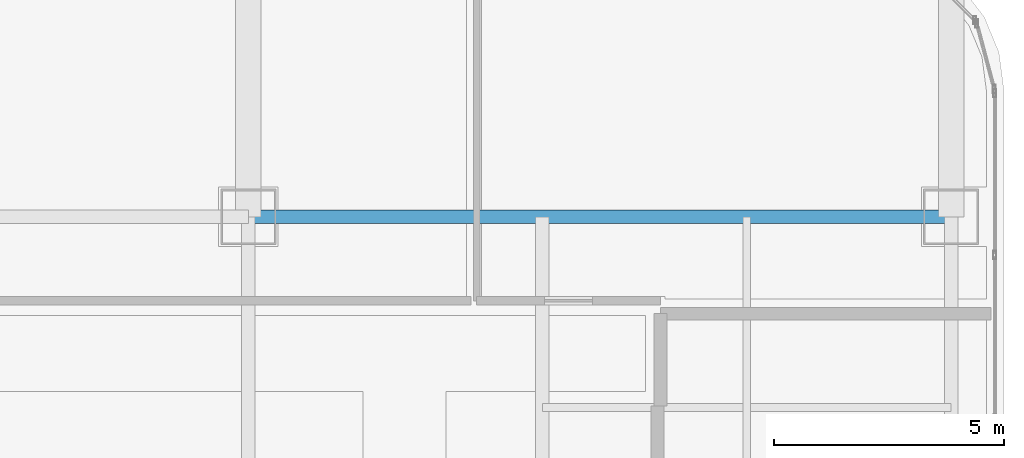
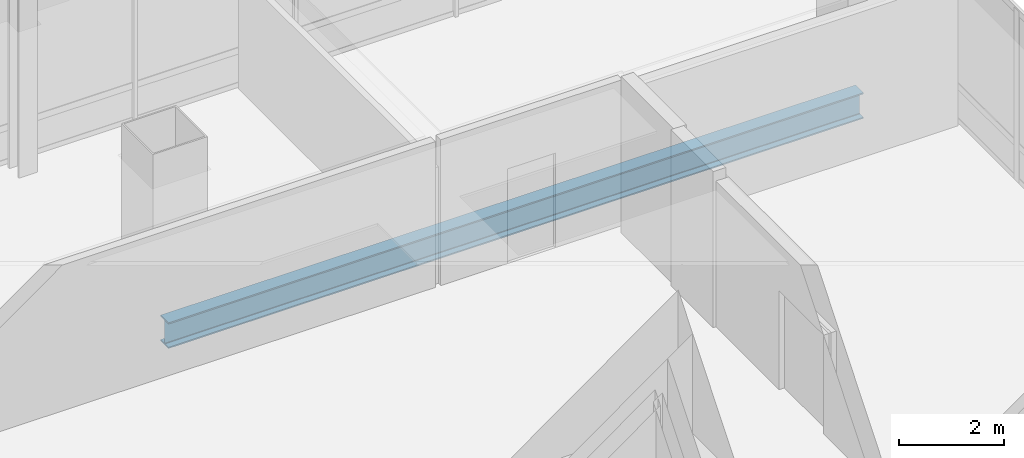
# One storey, part 28 of 41: 1 beam.
"""IFC4 building model written with IfcOpenShell, lengths in metres."""

from ifc_helpers import new_model, si_unit, direction, frame, origin, origin_2d, place, context, subcontext, project, spatial, i_section, extrude, material, material_profile, profile_set, type_object, element, save


model = new_model("IFC4")

# Units and contexts
model_context = context("Model", 3, precision=1e-05, world=origin(), true_north=direction((0.0, 1.0)))
body_context = subcontext(model_context, "Body", "Model", "MODEL_VIEW")
ifc_project = project(units=[si_unit("LENGTHUNIT", "METRE"), si_unit("AREAUNIT", "SQUARE_METRE"), si_unit("VOLUMEUNIT", "CUBIC_METRE"), si_unit("PLANEANGLEUNIT", "RADIAN"), si_unit("MASSUNIT", "GRAM", prefix="KILO")], contexts=[model_context])

# Site, building, storey
site_placement = place(None, origin())
site = spatial("IfcSite", under=ifc_project, at=site_placement, CompositionType="ELEMENT")
building_placement = place(site_placement, origin())
building = spatial("IfcBuilding", under=site, at=building_placement, Name="Punatoya Terracotta Tower", CompositionType="ELEMENT")
storey_placement = place(building_placement, frame((0.0, 0.0, 292.199951171875)))
storey = spatial("IfcBuildingStorey", under=building, at=storey_placement, Name="L69", CompositionType="ELEMENT", Elevation=292.199951171875)

# Beam
ifc_material = material(Name="Steel S355", Category="steel")
ifc_material_profile = material_profile(ifc_material, i_section(OverallWidth=0.300048828125, OverallDepth=0.60009765625, WebThickness=0.015380859375, FlangeThickness=0.030029296875, FilletRadius=0.01806640625, at=origin_2d()))
ifc_profile_set = profile_set([ifc_material_profile], Name="Steel S355")
beam_type = type_object("IfcBeamType", Name="BM-PRI-600", PredefinedType="BEAM", material=ifc_profile_set)
beam_placement = place(storey_placement, frame((3.800048828125, 17.5, -0.5), z_axis=(1.0, 0.0, 0.0), x_axis=(0.0, 1.0, 0.0)))
element("IfcBeam", 1, at=beam_placement, inside=storey, type_object=beam_type, Name="BM-L69-RG-N3", PredefinedType="BEAM", context=body_context, shape_type="SweptSolid", body=[
    extrude(i_section(OverallWidth=0.300048828125, OverallDepth=0.60009765625, WebThickness=0.015380859375, FlangeThickness=0.030029296875, FilletRadius=0.01806640625, at=origin_2d()), origin(), (0.0, 0.0, 1.0), 15.300048828125),
])

save(model, "model.ifc")
